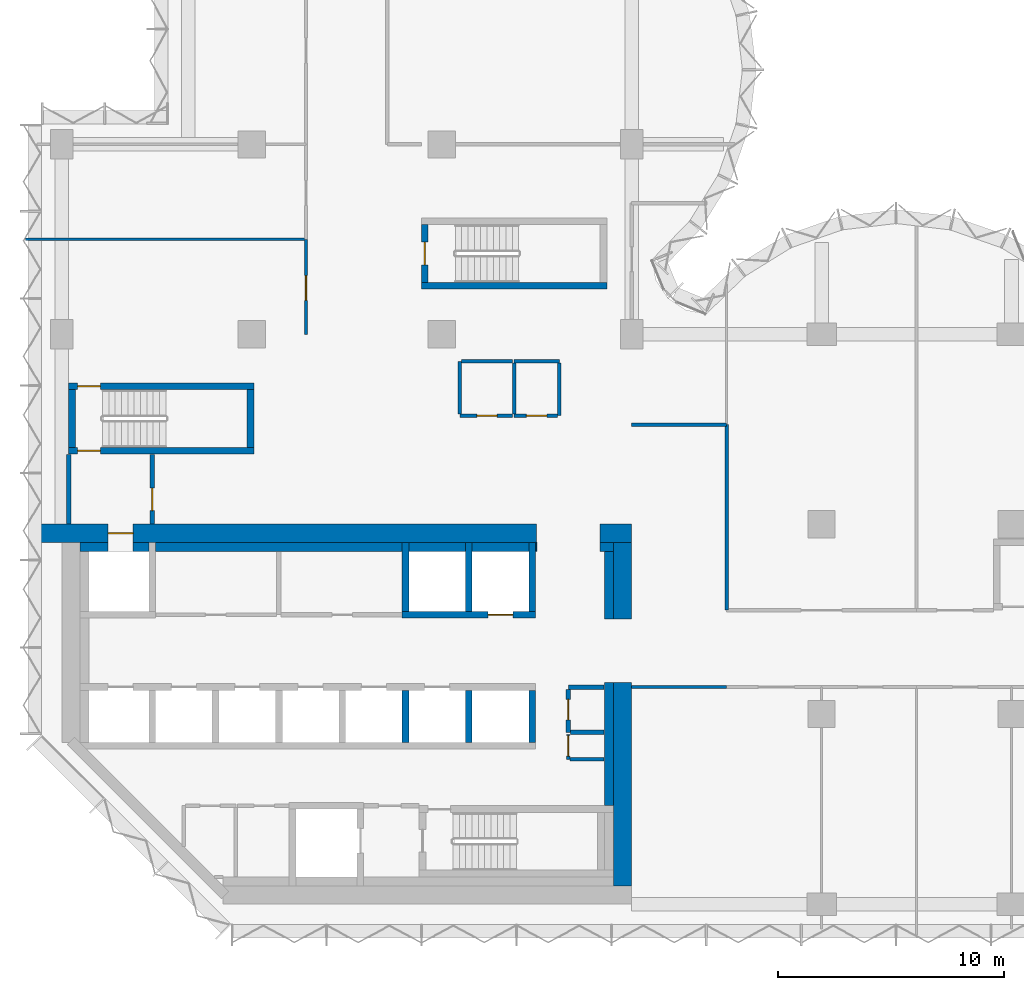
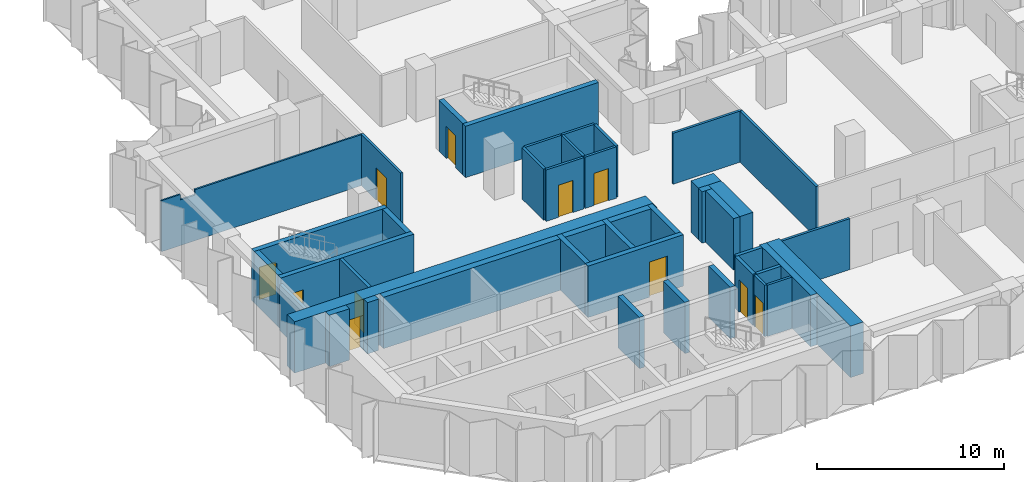
# One storey, part 6 of 11: 45 walls, 11 doors, 11 openings.
"""IFC4 building model written with IfcOpenShell, lengths in metres."""

from ifc_helpers import new_model, si_unit, direction, frame, frame_2d, origin, place, context, subcontext, project, spatial, polyline, rectangle, outline, extrude, material, layer, layer_set, type_object, element, fill, save


model = new_model("IFC4")

# Units and contexts
model_context = context("Model", 3, precision=1e-05, world=origin(), true_north=direction((0.0, 1.0)))
body_context = subcontext(model_context, "Body", "Model", "MODEL_VIEW")
ifc_project = project(units=[si_unit("LENGTHUNIT", "METRE"), si_unit("AREAUNIT", "SQUARE_METRE"), si_unit("VOLUMEUNIT", "CUBIC_METRE"), si_unit("PLANEANGLEUNIT", "RADIAN"), si_unit("MASSUNIT", "GRAM", prefix="KILO")], contexts=[model_context])

# Site, building, storey
site_placement = place(None, origin())
site = spatial("IfcSite", under=ifc_project, at=site_placement, CompositionType="ELEMENT")
building_placement = place(site_placement, origin())
building = spatial("IfcBuilding", under=site, at=building_placement, Name="Brevane Broadcast Tower", CompositionType="ELEMENT")
storey_placement = place(building_placement, frame((0.0, 0.0, 145.699951171875)))
storey = spatial("IfcBuildingStorey", under=building, at=storey_placement, Name="L36", CompositionType="ELEMENT", Elevation=145.699951171875)

# Walls
ifc_material_1 = material(Name="Concrete C32/40", Category="concrete")
ifc_layer_1 = layer(ifc_material_1, 0.39990234375)
ifc_layer_set_1 = layer_set([ifc_layer_1], Name="Core chase wall 400 mm")
wall_type_1 = type_object("IfcWallType", Name="Core chase wall 400 mm", PredefinedType="PARTITIONING", material=ifc_layer_set_1)
wall_1_placement = place(storey_placement, frame((24.199951171875, 12.60009765625, 0.0), z_axis=(0.0, 0.0, 1.0), x_axis=(0.0, 1.0, 0.0)))
element("IfcWall", 1, at=wall_1_placement, inside=storey, type_object=wall_type_1, Name="L36 chase wall LE2", PredefinedType="PARTITIONING", context=body_context, shape_type="SweptSolid", body=[
    extrude(rectangle(XDim=3.0, YDim=0.39990234375, at=frame_2d((1.5, 0.0))), origin(), (0.0, 0.0, 1.0), 3.35009765625),
])
wall_2_placement = place(storey_placement, frame((0.800048828125, 15.800048828125, 0.0), z_axis=(0.0, 0.0, 1.0), x_axis=(1.0, 0.0, 0.0)))
element("IfcWall", 2, at=wall_2_placement, inside=storey, type_object=wall_type_1, Name="L36 chase wall LN0", PredefinedType="PARTITIONING", context=body_context, shape_type="SweptSolid", body=[
    extrude(rectangle(XDim=1.25, YDim=0.39990234375, at=frame_2d((0.625, 0.0))), origin(), (0.0, 0.0, 1.0), 3.35009765625),
])
wall_3_placement = place(storey_placement, frame((23.800048828125, 15.800048828125, 0.0), z_axis=(0.0, 0.0, 1.0), x_axis=(1.0, 0.0, 0.0)))
element("IfcWall", 3, at=wall_3_placement, inside=storey, type_object=wall_type_1, Name="L36 chase wall LN2", PredefinedType="PARTITIONING", context=body_context, shape_type="SweptSolid", body=[
    extrude(rectangle(XDim=0.599853515625, YDim=0.39990234375, at=frame_2d((0.2998046875, 0.0))), origin(), (0.0, 0.0, 1.0), 3.35009765625),
])
wall_4_placement = place(storey_placement, frame((3.14990234375, 15.800048828125, 0.0), z_axis=(0.0, 0.0, 1.0), x_axis=(1.0, 0.0, 0.0)))
element("IfcWall", 4, at=wall_4_placement, inside=storey, type_object=wall_type_1, Name="L36 chase wall LN1-1", PredefinedType="PARTITIONING", context=body_context, shape_type="SweptSolid", body=[
    extrude(rectangle(XDim=0.7001953125, YDim=0.39990234375, at=frame_2d((0.35009765625, 0.0))), origin(), (0.0, 0.0, 1.0), 3.35009765625),
])
wall_5_placement = place(storey_placement, frame((4.14990234375, 15.800048828125, 0.0), z_axis=(0.0, 0.0, 1.0), x_axis=(1.0, 0.0, 0.0)))
element("IfcWall", 5, at=wall_5_placement, inside=storey, type_object=wall_type_1, Name="L36 chase wall LN1-2-1", PredefinedType="PARTITIONING", context=body_context, shape_type="SweptSolid", body=[
    extrude(rectangle(XDim=10.900146484375, YDim=0.39990234375, at=frame_2d((5.4501953125, 0.0))), origin(), (0.0, 0.0, 1.0), 3.35009765625),
])
for number, where, z_axis, x_axis, name in (
    (6, (15.35009765625, 15.800048828125, 0.0), (0.0, 0.0, 1.0), (1.0, 0.0, 0.0), "L36 chase wall LN1-2-2-1"),
    (7, (18.14990234375, 15.800048828125, 0.0), (0.0, 0.0, 1.0), (1.0, 0.0, 0.0), "L36 chase wall LN1-2-2-2-1"),
):
    element("IfcWall", number, at=place(storey_placement, frame(where, z_axis=z_axis, x_axis=x_axis)), inside=storey, type_object=wall_type_1, Name=name, PredefinedType="PARTITIONING", context=body_context, shape_type="SweptSolid", body=[
        extrude(rectangle(XDim=2.5, YDim=0.39990234375, at=frame_2d((1.25, 0.0))), origin(), (0.0, 0.0, 1.0), 3.35009765625),
    ])
wall_6_placement = place(storey_placement, frame((20.949951171875, 15.800048828125, 0.0), z_axis=(0.0, 0.0, 1.0), x_axis=(1.0, 0.0, 0.0)))
element("IfcWall", 8, at=wall_6_placement, inside=storey, type_object=wall_type_1, Name="L36 chase wall LN1-2-2-2-2", PredefinedType="PARTITIONING", context=body_context, shape_type="SweptSolid", body=[
    extrude(rectangle(XDim=0.050048828125, YDim=0.39990234375, at=frame_2d((0.02490234375, 0.0))), origin(), (0.0, 0.0, 1.0), 3.35009765625),
])
wall_7_placement = place(storey_placement, frame((24.199951171875, 4.35009765625, 0.0), z_axis=(0.0, 0.0, 1.0), x_axis=(0.0, 1.0, 0.0)))
element("IfcWall", 9, at=wall_7_placement, inside=storey, type_object=wall_type_1, Name="L36 chase wall LE1-2-2", PredefinedType="PARTITIONING", context=body_context, shape_type="SweptSolid", body=[
    extrude(rectangle(XDim=5.449951171875, YDim=0.39990234375, at=frame_2d((2.72509765625, 0.0))), origin(), (0.0, 0.0, 1.0), 3.35009765625),
])
ifc_material_2 = material(Name="Gypsum board on steel studs", Category="steel")
ifc_layer_2 = layer(ifc_material_2, 0.14990234375)
ifc_layer_set_2 = layer_set([ifc_layer_2], Name="Core fire partition 150 mm")
wall_type_2 = type_object("IfcWallType", Name="Core fire partition 150 mm", PredefinedType="PARTITIONING", material=ifc_layer_set_2)
wall_8_placement = place(storey_placement, frame((20.0, 24.0, 0.0), z_axis=(0.0, 0.0, 1.0), x_axis=(1.0, 0.0, 0.0)))
element("IfcWall", 10, at=wall_8_placement, inside=storey, type_object=wall_type_2, Name="L36 partition wall P15", PredefinedType="PARTITIONING", context=body_context, shape_type="SweptSolid", body=[
    extrude(rectangle(XDim=2.0, YDim=0.14990234375, at=frame_2d((1.0, 0.0))), origin(), (0.0, 0.0, 1.0), 3.35009765625),
])
wall_9_placement = place(storey_placement, frame((22.0, 23.925048828125, 0.0), z_axis=(0.0, 0.0, 1.0), x_axis=(0.0, -1.0, 0.0)))
element("IfcWall", 11, at=wall_9_placement, inside=storey, type_object=wall_type_2, Name="L36 partition wall P16", PredefinedType="PARTITIONING", context=body_context, shape_type="SweptSolid", body=[
    extrude(rectangle(XDim=2.324951171875, YDim=0.14990234375, at=frame_2d((1.16259765625, 0.0))), origin(), (0.0, 0.0, 1.0), 3.35009765625),
])

# Wall, opening, door
wall_10_placement = place(storey_placement, frame((21.925048828125, 21.60009765625, 0.0), z_axis=(0.0, 0.0, 1.0), x_axis=(-1.0, 0.0, 0.0)))
wall_10 = element("IfcWall", 12, at=wall_10_placement, inside=storey, type_object=wall_type_2, Name="L36 partition wall P17", PredefinedType="PARTITIONING", context=body_context, shape_type="SweptSolid", body=[
    extrude(rectangle(XDim=1.925048828125, YDim=0.14990234375, at=frame_2d((0.96240234375, 0.0))), origin(), (0.0, 0.0, 1.0), 3.35009765625),
])
opening_1_placement = place(wall_10_placement, frame((0.47509765625, 0.0, 0.0)))
opening_1 = element("IfcOpeningElement", 13, at=opening_1_placement, cuts=wall_10, Name="Opening L36-K24", PredefinedType="OPENING", context=body_context, shape_type="SweptSolid", body=[
    extrude(rectangle(XDim=0.89990234375, YDim=2.10009765625, at=frame_2d((0.449951171875, 1.050048828125))), frame((0.0, 0.0849609375, 0.0), z_axis=(0.0, -1.0, 0.0), x_axis=(1.0, 0.0, 0.0)), (0.0, 0.0, 1.0), 0.169921875),
])
ifc_material_3 = material(Name="Timber", Category="wood")
door_type_1 = type_object("IfcDoorType", Name="Toilet door 900 x 2100", OperationType="SINGLE_SWING_LEFT", PredefinedType="DOOR", material=ifc_material_3)
door_1_placement = place(opening_1_placement, origin())
door_1 = element("IfcDoor", 14, at=door_1_placement, inside=storey, type_object=door_type_1, Name="Door L36-K24", OperationType="SINGLE_SWING_RIGHT", OverallHeight=2.10009765625, OverallWidth=0.89990234375, PredefinedType="DOOR", context=body_context, shape_type="SweptSolid", body=[
    extrude(rectangle(XDim=0.89990234375, YDim=2.10009765625, at=frame_2d((0.449951171875, 1.050048828125))), frame((0.0, 0.02490234375, 0.0), z_axis=(0.0, -1.0, 0.0), x_axis=(1.0, 0.0, 0.0)), (0.0, 0.0, 1.0), 0.050048828125),
])
fill(opening_1, door_1)

# Wall
wall_11_placement = place(storey_placement, frame((20.0, 21.675048828125, 0.0), z_axis=(0.0, 0.0, 1.0), x_axis=(0.0, 1.0, 0.0)))
element("IfcWall", 15, at=wall_11_placement, inside=storey, type_object=wall_type_2, Name="L36 partition wall P18", PredefinedType="PARTITIONING", context=body_context, shape_type="SweptSolid", body=[
    extrude(rectangle(XDim=2.25, YDim=0.14990234375, at=frame_2d((1.125, 0.0))), origin(), (0.0, 0.0, 1.0), 3.35009765625),
])

# Wall, opening, door
wall_12_placement = place(storey_placement, frame((19.925048828125, 21.60009765625, 0.0), z_axis=(0.0, 0.0, 1.0), x_axis=(-1.0, 0.0, 0.0)))
wall_12 = element("IfcWall", 16, at=wall_12_placement, inside=storey, type_object=wall_type_2, Name="L36 partition wall P19", PredefinedType="PARTITIONING", context=body_context, shape_type="SweptSolid", body=[
    extrude(rectangle(XDim=2.324951171875, YDim=0.14990234375, at=frame_2d((1.16259765625, 0.0))), origin(), (0.0, 0.0, 1.0), 3.35009765625),
])
opening_2_placement = place(wall_12_placement, frame((0.675048828125, 0.0, 0.0)))
opening_2 = element("IfcOpeningElement", 17, at=opening_2_placement, cuts=wall_12, Name="Opening L36-K25", PredefinedType="OPENING", context=body_context, shape_type="SweptSolid", body=[
    extrude(rectangle(XDim=0.89990234375, YDim=2.10009765625, at=frame_2d((0.449951171875, 1.050048828125))), frame((0.0, 0.0849609375, 0.0), z_axis=(0.0, -1.0, 0.0), x_axis=(1.0, 0.0, 0.0)), (0.0, 0.0, 1.0), 0.169921875),
])
ifc_material_4 = material(Name="Steel", Category="steel")
door_type_2 = type_object("IfcDoorType", Name="Service room door 900 x 2100", OperationType="SINGLE_SWING_LEFT", PredefinedType="DOOR", material=ifc_material_4)
door_2_placement = place(opening_2_placement, origin())
door_2 = element("IfcDoor", 18, at=door_2_placement, inside=storey, type_object=door_type_2, Name="Door L36-K25", OperationType="SINGLE_SWING_LEFT", OverallHeight=2.10009765625, OverallWidth=0.89990234375, PredefinedType="DOOR", context=body_context, shape_type="SweptSolid", body=[
    extrude(rectangle(XDim=0.89990234375, YDim=2.10009765625, at=frame_2d((0.449951171875, 1.050048828125))), frame((0.0, 0.02490234375, 0.0), z_axis=(0.0, -1.0, 0.0), x_axis=(1.0, 0.0, 0.0)), (0.0, 0.0, 1.0), 0.050048828125),
])
fill(opening_2, door_2)

# Walls
wall_13_placement = place(storey_placement, frame((17.60009765625, 21.675048828125, 0.0), z_axis=(0.0, 0.0, 1.0), x_axis=(0.0, 1.0, 0.0)))
element("IfcWall", 19, at=wall_13_placement, inside=storey, type_object=wall_type_2, Name="L36 partition wall P20", PredefinedType="PARTITIONING", context=body_context, shape_type="SweptSolid", body=[
    extrude(rectangle(XDim=2.324951171875, YDim=0.14990234375, at=frame_2d((1.16259765625, 0.0))), origin(), (0.0, 0.0, 1.0), 3.35009765625),
])
wall_14_placement = place(storey_placement, frame((17.675048828125, 24.0, 0.0), z_axis=(0.0, 0.0, 1.0), x_axis=(1.0, 0.0, 0.0)))
element("IfcWall", 20, at=wall_14_placement, inside=storey, type_object=wall_type_2, Name="L36 partition wall P21", PredefinedType="PARTITIONING", context=body_context, shape_type="SweptSolid", body=[
    extrude(rectangle(XDim=2.25, YDim=0.14990234375, at=frame_2d((1.125, 0.0))), origin(), (0.0, 0.0, 1.0), 3.35009765625),
])

# Wall, opening, door
wall_15_placement = place(storey_placement, frame((22.39990234375, 7.5, 0.0), z_axis=(0.0, 0.0, 1.0), x_axis=(0.0, -1.0, 0.0)))
wall_15 = element("IfcWall", 21, at=wall_15_placement, inside=storey, type_object=wall_type_2, Name="L36 partition wall P22", PredefinedType="PARTITIONING", context=body_context, shape_type="SweptSolid", body=[
    extrude(rectangle(XDim=1.10009765625, YDim=0.14990234375, at=frame_2d((0.550048828125, 0.0))), origin(), (0.0, 0.0, 1.0), 3.35009765625),
])
opening_3_placement = place(wall_15_placement, frame((0.050048828125, 0.0, 0.0)))
opening_3 = element("IfcOpeningElement", 22, at=opening_3_placement, cuts=wall_15, Name="Opening L36-K19", PredefinedType="OPENING", context=body_context, shape_type="SweptSolid", body=[
    extrude(rectangle(XDim=0.89990234375, YDim=2.10009765625, at=frame_2d((0.449951171875, 1.050048828125))), frame((0.0, 0.0849609375, 0.0), z_axis=(0.0, -1.0, 0.0), x_axis=(1.0, 0.0, 0.0)), (0.0, 0.0, 1.0), 0.169921875),
])
door_3_placement = place(opening_3_placement, origin())
door_3 = element("IfcDoor", 23, at=door_3_placement, inside=storey, type_object=door_type_2, Name="Door L36-K19", OperationType="SINGLE_SWING_LEFT", OverallHeight=2.10009765625, OverallWidth=0.89990234375, PredefinedType="DOOR", context=body_context, shape_type="SweptSolid", body=[
    extrude(rectangle(XDim=0.89990234375, YDim=2.10009765625, at=frame_2d((0.449951171875, 1.050048828125))), frame((0.0, 0.02490234375, 0.0), z_axis=(0.0, -1.0, 0.0), x_axis=(1.0, 0.0, 0.0)), (0.0, 0.0, 1.0), 0.050048828125),
])
fill(opening_3, door_3)

# Walls
wall_16_placement = place(storey_placement, frame((22.47509765625, 6.39990234375, 0.0), z_axis=(0.0, 0.0, 1.0), x_axis=(1.0, 0.0, 0.0)))
element("IfcWall", 24, at=wall_16_placement, inside=storey, type_object=wall_type_2, Name="L36 partition wall P23", PredefinedType="PARTITIONING", context=body_context, shape_type="SweptSolid", body=[
    extrude(rectangle(XDim=1.512939453125, YDim=0.14990234375, at=frame_2d((0.75634765625, 0.0))), origin(), (0.0, 0.0, 1.0), 3.35009765625),
])
ifc_layer_3 = layer(ifc_material_2, 0.199951171875)
ifc_layer_set_3 = layer_set([ifc_layer_3], Name="Core fire partition 200 mm")
wall_type_3 = type_object("IfcWallType", Name="Core fire partition 200 mm", PredefinedType="PARTITIONING", material=ifc_layer_set_3)
wall_17_placement = place(storey_placement, frame((0.300048828125, 16.81201171875, 0.0), z_axis=(0.0, 0.0, 1.0), x_axis=(0.0, 1.0, 0.0)))
element("IfcWall", 25, at=wall_17_placement, inside=storey, type_object=wall_type_3, Name="L36 partition wall P01", PredefinedType="PARTITIONING", context=body_context, shape_type="SweptSolid", body=[
    extrude(rectangle(XDim=3.075927734375, YDim=0.199951171875, at=frame_2d((1.5380859375, 0.0))), origin(), (0.0, 0.0, 1.0), 2.97998046875),
])

# Wall, opening, door
wall_18_placement = place(storey_placement, frame((4.0, 19.887939453125, 0.0), z_axis=(0.0, 0.0, 1.0), x_axis=(0.0, -1.0, 0.0)))
wall_18 = element("IfcWall", 26, at=wall_18_placement, inside=storey, type_object=wall_type_3, Name="L36 partition wall P02", PredefinedType="PARTITIONING", context=body_context, shape_type="SweptSolid", body=[
    extrude(rectangle(XDim=3.075927734375, YDim=0.199951171875, at=frame_2d((1.5380859375, 0.0))), origin(), (0.0, 0.0, 1.0), 3.35009765625),
])
opening_4_placement = place(wall_18_placement, frame((1.488037109375, 0.0, 0.0)))
opening_4 = element("IfcOpeningElement", 27, at=opening_4_placement, cuts=wall_18, Name="Opening L36-K23", PredefinedType="OPENING", context=body_context, shape_type="SweptSolid", body=[
    extrude(rectangle(XDim=1.0, YDim=2.10009765625, at=frame_2d((0.5, 1.050048828125))), frame((0.0, 0.10986328125, 0.0), z_axis=(0.0, -1.0, 0.0), x_axis=(1.0, 0.0, 0.0)), (0.0, 0.0, 1.0), 0.219970703125),
])
door_type_3 = type_object("IfcDoorType", Name="Stair door 1000 x 2100", OperationType="SINGLE_SWING_LEFT", PredefinedType="DOOR", material=ifc_material_4)
door_4_placement = place(opening_4_placement, origin())
door_4 = element("IfcDoor", 28, at=door_4_placement, inside=storey, type_object=door_type_3, Name="Door L36-K23", OperationType="SINGLE_SWING_LEFT", OverallHeight=2.10009765625, OverallWidth=1.0, PredefinedType="DOOR", context=body_context, shape_type="SweptSolid", body=[
    extrude(rectangle(XDim=1.0, YDim=2.10009765625, at=frame_2d((0.5, 1.050048828125))), frame((0.0, 0.02490234375, 0.0), z_axis=(0.0, -1.0, 0.0), x_axis=(1.0, 0.0, 0.0)), (0.0, 0.0, 1.0), 0.050048828125),
])
fill(opening_4, door_4)

# Wall
wall_19_placement = place(storey_placement, frame((23.988037109375, 9.60009765625, 0.0), z_axis=(0.0, 0.0, 1.0), x_axis=(-1.0, 0.0, 0.0)))
element("IfcWall", 29, at=wall_19_placement, inside=storey, type_object=wall_type_3, Name="L36 partition wall P06", PredefinedType="PARTITIONING", context=body_context, shape_type="SweptSolid", body=[
    extrude(rectangle(XDim=1.588134765625, YDim=0.199951171875, at=frame_2d((0.7939453125, 0.0))), origin(), (0.0, 0.0, 1.0), 3.35009765625),
])

# Wall, opening, door
wall_20_placement = place(storey_placement, frame((22.39990234375, 9.5, 0.0), z_axis=(0.0, 0.0, 1.0), x_axis=(0.0, -1.0, 0.0)))
wall_20 = element("IfcWall", 30, at=wall_20_placement, inside=storey, type_object=wall_type_3, Name="L36 partition wall P07", PredefinedType="PARTITIONING", context=body_context, shape_type="SweptSolid", body=[
    extrude(rectangle(XDim=1.89990234375, YDim=0.199951171875, at=frame_2d((0.949951171875, 0.0))), origin(), (0.0, 0.0, 1.0), 3.35009765625),
])
opening_5_placement = place(wall_20_placement, frame((0.449951171875, 0.0, 0.0)))
opening_5 = element("IfcOpeningElement", 31, at=opening_5_placement, cuts=wall_20, Name="Opening L36-K20", PredefinedType="OPENING", context=body_context, shape_type="SweptSolid", body=[
    extrude(rectangle(XDim=0.89990234375, YDim=2.10009765625, at=frame_2d((0.449951171875, 1.050048828125))), frame((0.0, 0.10986328125, 0.0), z_axis=(0.0, -1.0, 0.0), x_axis=(1.0, 0.0, 0.0)), (0.0, 0.0, 1.0), 0.219970703125),
])
door_5_placement = place(opening_5_placement, origin())
door_5 = element("IfcDoor", 32, at=door_5_placement, inside=storey, type_object=door_type_2, Name="Door L36-K20", OperationType="SINGLE_SWING_RIGHT", OverallHeight=2.10009765625, OverallWidth=0.89990234375, PredefinedType="DOOR", context=body_context, shape_type="SweptSolid", body=[
    extrude(rectangle(XDim=0.89990234375, YDim=2.10009765625, at=frame_2d((0.449951171875, 1.050048828125))), frame((0.0, 0.02490234375, 0.0), z_axis=(0.0, -1.0, 0.0), x_axis=(1.0, 0.0, 0.0)), (0.0, 0.0, 1.0), 0.050048828125),
])
fill(opening_5, door_5)

# Walls
wall_21_placement = place(storey_placement, frame((22.5, 7.60009765625, 0.0), z_axis=(0.0, 0.0, 1.0), x_axis=(1.0, 0.0, 0.0)))
element("IfcWall", 33, at=wall_21_placement, inside=storey, type_object=wall_type_3, Name="L36 partition wall P08", PredefinedType="PARTITIONING", context=body_context, shape_type="SweptSolid", body=[
    extrude(rectangle(XDim=1.488037109375, YDim=0.199951171875, at=frame_2d((0.744140625, 0.0))), origin(), (0.0, 0.0, 1.0), 3.35009765625),
])
ifc_material_5 = material(Name="Concrete C60/75", Category="concrete")
ifc_layer_4 = layer(ifc_material_5, 0.300048828125)
ifc_layer_set_4 = layer_set([ifc_layer_4], Name="Core wall 300 mm C60/75")
wall_type_4 = type_object("IfcWallType", Name="Core wall 300 mm C60/75", PredefinedType="SHEAR", material=ifc_layer_set_4)
for number, where, z_axis, x_axis, name in (
    (34, (15.199951171875, 7.14990234375, 0.0), (0.0, 0.0, 1.0), (0.0, 1.0, 0.0), "L36 shaft wall SH-S-P152"),
    (35, (18.0, 7.14990234375, 0.0), (0.0, 0.0, 1.0), (0.0, 1.0, 0.0), "L36 shaft wall SH-S-P180"),
    (36, (20.800048828125, 7.14990234375, 0.0), (0.0, 0.0, 1.0), (0.0, 1.0, 0.0), "L36 shaft wall SH-S-P208"),
):
    element("IfcWall", number, at=place(storey_placement, frame(where, z_axis=z_axis, x_axis=x_axis)), inside=storey, type_object=wall_type_4, Name=name, PredefinedType="SHEAR", context=body_context, shape_type="SweptSolid", body=[
        extrude(rectangle(XDim=2.300048828125, YDim=0.300048828125, at=frame_2d((1.14990234375, 0.0))), origin(), (0.0, 0.0, 1.0), 3.35009765625),
    ])

# Wall, opening, door
wall_22_placement = place(storey_placement, frame((15.050048828125, 12.800048828125, 0.0), z_axis=(0.0, 0.0, 1.0), x_axis=(1.0, 0.0, 0.0)))
wall_22 = element("IfcWall", 37, at=wall_22_placement, inside=storey, type_object=wall_type_4, Name="L36 shaft wall SH-N152-front", PredefinedType="SHEAR", context=body_context, shape_type="SweptSolid", body=[
    extrude(rectangle(XDim=5.89990234375, YDim=0.300048828125, at=frame_2d((2.949951171875, 0.0))), origin(), (0.0, 0.0, 1.0), 3.35009765625),
])
opening_6_placement = place(wall_22_placement, frame((3.800048828125, 0.0, 0.0)))
opening_6 = element("IfcOpeningElement", 38, at=opening_6_placement, cuts=wall_22, Name="Opening LD", PredefinedType="OPENING", context=body_context, shape_type="SweptSolid", body=[
    extrude(rectangle(XDim=1.10009765625, YDim=2.300048828125, at=frame_2d((0.550048828125, 1.14990234375))), frame((0.0, 0.159912109375, 0.0), z_axis=(0.0, -1.0, 0.0), x_axis=(1.0, 0.0, 0.0)), (0.0, 0.0, 1.0), 0.320068359375),
])
ifc_material_6 = material(Name="Stainless steel", Category="steel")
door_type_4 = type_object("IfcDoorType", Name="Lift landing door", OperationType="SLIDING_TO_LEFT", PredefinedType="DOOR", material=ifc_material_6)
door_6_placement = place(opening_6_placement, origin())
door_6 = element("IfcDoor", 39, at=door_6_placement, inside=storey, type_object=door_type_4, Name="Landing door SL1 L36", OperationType="SLIDING_TO_LEFT", OverallHeight=2.300048828125, OverallWidth=1.10009765625, PredefinedType="DOOR", context=body_context, shape_type="SweptSolid", body=[
    extrude(rectangle(XDim=1.10009765625, YDim=2.300048828125, at=frame_2d((0.550048828125, 1.14990234375))), frame((0.0, 0.02490234375, 0.0), z_axis=(0.0, -1.0, 0.0), x_axis=(1.0, 0.0, 0.0)), (0.0, 0.0, 1.0), 0.050048828125),
])
fill(opening_6, door_6)

# Walls
for number, where, z_axis, x_axis, name in (
    (40, (15.199951171875, 12.949951171875, 0.0), (0.0, 0.0, 1.0), (0.0, 1.0, 0.0), "L36 shaft wall SH-N-P152"),
    (41, (18.0, 12.949951171875, 0.0), (0.0, 0.0, 1.0), (0.0, 1.0, 0.0), "L36 shaft wall SH-N-P180"),
    (42, (20.800048828125, 12.949951171875, 0.0), (0.0, 0.0, 1.0), (0.0, 1.0, 0.0), "L36 shaft wall SH-N-P208"),
):
    element("IfcWall", number, at=place(storey_placement, frame(where, z_axis=z_axis, x_axis=x_axis)), inside=storey, type_object=wall_type_4, Name=name, PredefinedType="SHEAR", context=body_context, shape_type="SweptSolid", body=[
        extrude(rectangle(XDim=3.050048828125, YDim=0.300048828125, at=frame_2d((1.52490234375, 0.0))), origin(), (0.0, 0.0, 1.0), 3.35009765625),
    ])

# Wall, opening, door
wall_23_placement = place(storey_placement, frame((8.5, 20.050048828125, 0.0), z_axis=(0.0, 0.0, 1.0), x_axis=(-1.0, 0.0, 0.0)))
wall_23 = element("IfcWall", 43, at=wall_23_placement, inside=storey, type_object=wall_type_4, Name="L36 stair wall ST-1-S", PredefinedType="SHEAR", context=body_context, shape_type="SweptSolid", body=[
    extrude(rectangle(XDim=8.199951171875, YDim=0.300048828125, at=frame_2d((4.10009765625, 0.0))), origin(), (0.0, 0.0, 1.0), 3.35009765625),
])
opening_7_placement = place(wall_23_placement, frame((6.800048828125, 0.0, 0.0)))
opening_7 = element("IfcOpeningElement", 44, at=opening_7_placement, cuts=wall_23, Name="Opening L36-K10", PredefinedType="OPENING", context=body_context, shape_type="SweptSolid", body=[
    extrude(rectangle(XDim=1.0, YDim=2.10009765625, at=frame_2d((0.5, 1.050048828125))), frame((0.0, 0.159912109375, 0.0), z_axis=(0.0, -1.0, 0.0), x_axis=(1.0, 0.0, 0.0)), (0.0, 0.0, 1.0), 0.320068359375),
])
door_7_placement = place(opening_7_placement, origin())
door_7 = element("IfcDoor", 45, at=door_7_placement, inside=storey, type_object=door_type_3, Name="Door L36-K10", OperationType="SINGLE_SWING_RIGHT", OverallHeight=2.10009765625, OverallWidth=1.0, PredefinedType="DOOR", context=body_context, shape_type="SweptSolid", body=[
    extrude(rectangle(XDim=1.0, YDim=2.10009765625, at=frame_2d((0.5, 1.050048828125))), frame((0.0, 0.02490234375, 0.0), z_axis=(0.0, -1.0, 0.0), x_axis=(1.0, 0.0, 0.0)), (0.0, 0.0, 1.0), 0.050048828125),
])
fill(opening_7, door_7)

wall_24_placement = place(storey_placement, frame((0.300048828125, 22.89990234375, 0.0), z_axis=(0.0, 0.0, 1.0), x_axis=(1.0, 0.0, 0.0)))
wall_24 = element("IfcWall", 46, at=wall_24_placement, inside=storey, type_object=wall_type_4, Name="L36 stair wall ST-1-N", PredefinedType="SHEAR", context=body_context, shape_type="SweptSolid", body=[
    extrude(rectangle(XDim=8.199951171875, YDim=0.300048828125, at=frame_2d((4.10009765625, 0.0))), origin(), (0.0, 0.0, 1.0), 3.35009765625),
])
opening_8_placement = place(wall_24_placement, frame((0.39990234375, 0.0, 0.0)))
opening_8 = element("IfcOpeningElement", 47, at=opening_8_placement, cuts=wall_24, Name="Opening L36-K11", PredefinedType="OPENING", context=body_context, shape_type="SweptSolid", body=[
    extrude(rectangle(XDim=1.0, YDim=2.10009765625, at=frame_2d((0.5, 1.050048828125))), frame((0.0, 0.159912109375, 0.0), z_axis=(0.0, -1.0, 0.0), x_axis=(1.0, 0.0, 0.0)), (0.0, 0.0, 1.0), 0.320068359375),
])
door_8_placement = place(opening_8_placement, origin())
door_8 = element("IfcDoor", 48, at=door_8_placement, inside=storey, type_object=door_type_3, Name="Door L36-K11", OperationType="SINGLE_SWING_LEFT", OverallHeight=2.10009765625, OverallWidth=1.0, PredefinedType="DOOR", context=body_context, shape_type="SweptSolid", body=[
    extrude(rectangle(XDim=1.0, YDim=2.10009765625, at=frame_2d((0.5, 1.050048828125))), frame((0.0, 0.02490234375, 0.0), z_axis=(0.0, -1.0, 0.0), x_axis=(1.0, 0.0, 0.0)), (0.0, 0.0, 1.0), 0.050048828125),
])
fill(opening_8, door_8)

# Walls
for number, where, z_axis, x_axis, name in (
    (49, (0.449951171875, 20.199951171875, 0.0), (0.0, 0.0, 1.0), (0.0, 1.0, 0.0), "L36 stair wall ST-1-W"),
    (50, (8.35009765625, 20.199951171875, 0.0), (0.0, 0.0, 1.0), (0.0, 1.0, 0.0), "L36 stair wall ST-1-E"),
):
    element("IfcWall", number, at=place(storey_placement, frame(where, z_axis=z_axis, x_axis=x_axis)), inside=storey, type_object=wall_type_4, Name=name, PredefinedType="SHEAR", context=body_context, shape_type="SweptSolid", body=[
        extrude(rectangle(XDim=2.550048828125, YDim=0.300048828125, at=frame_2d((1.27490234375, 0.0))), origin(), (0.0, 0.0, 1.0), 3.35009765625),
    ])
wall_25_placement = place(storey_placement, frame((15.89990234375, 27.35009765625, 0.0), z_axis=(0.0, 0.0, 1.0), x_axis=(1.0, 0.0, 0.0)))
element("IfcWall", 51, at=wall_25_placement, inside=storey, type_object=wall_type_4, Name="L36 stair wall ST-3-S", PredefinedType="SHEAR", context=body_context, shape_type="SweptSolid", body=[
    extrude(rectangle(XDim=8.2001953125, YDim=0.300048828125, at=frame_2d((4.10009765625, 0.0))), origin(), (0.0, 0.0, 1.0), 3.35009765625),
])

# Wall, opening, door
wall_26_placement = place(storey_placement, frame((16.050048828125, 27.5, 0.0), z_axis=(0.0, 0.0, 1.0), x_axis=(0.0, 1.0, 0.0)))
wall_26 = element("IfcWall", 52, at=wall_26_placement, inside=storey, type_object=wall_type_4, Name="L36 stair wall ST-3-W", PredefinedType="SHEAR", context=body_context, shape_type="SweptSolid", body=[
    extrude(rectangle(XDim=2.550048828125, YDim=0.300048828125, at=frame_2d((1.27490234375, 0.0))), origin(), (0.0, 0.0, 1.0), 3.35009765625),
])
opening_9_placement = place(wall_26_placement, frame((0.77490234375, 0.0, 0.0)))
opening_9 = element("IfcOpeningElement", 53, at=opening_9_placement, cuts=wall_26, Name="Opening L36-K14", PredefinedType="OPENING", context=body_context, shape_type="SweptSolid", body=[
    extrude(rectangle(XDim=1.0, YDim=2.10009765625, at=frame_2d((0.5, 1.050048828125))), frame((0.0, 0.159912109375, 0.0), z_axis=(0.0, -1.0, 0.0), x_axis=(1.0, 0.0, 0.0)), (0.0, 0.0, 1.0), 0.320068359375),
])
door_9_placement = place(opening_9_placement, origin())
door_9 = element("IfcDoor", 54, at=door_9_placement, inside=storey, type_object=door_type_3, Name="Door L36-K14", OperationType="SINGLE_SWING_RIGHT", OverallHeight=2.10009765625, OverallWidth=1.0, PredefinedType="DOOR", context=body_context, shape_type="SweptSolid", body=[
    extrude(rectangle(XDim=1.0, YDim=2.10009765625, at=frame_2d((0.5, 1.050048828125))), frame((0.0, 0.02490234375, 0.0), z_axis=(0.0, -1.0, 0.0), x_axis=(1.0, 0.0, 0.0)), (0.0, 0.0, 1.0), 0.050048828125),
])
fill(opening_9, door_9)

ifc_layer_5 = layer(ifc_material_5, 0.800048828125)
ifc_layer_set_5 = layer_set([ifc_layer_5], Name="Core wall 800 mm C60/75")
wall_type_5 = type_object("IfcWallType", Name="Core wall 800 mm C60/75", PredefinedType="SHEAR", material=ifc_layer_set_5)
wall_27_placement = place(storey_placement, frame((-1.10009765625, 16.39990234375, 0.0), z_axis=(0.0, 0.0, 1.0), x_axis=(1.0, 0.0, 0.0)))
wall_27 = element("IfcWall", 55, at=wall_27_placement, inside=storey, type_object=wall_type_5, Name="L36 outer wall WN1", PredefinedType="SHEAR", context=body_context, shape_type="SweptSolid", body=[
    extrude(rectangle(XDim=22.10009765625, YDim=0.800048828125, at=frame_2d((11.050048828125, 0.0))), origin(), (0.0, 0.0, 1.0), 3.35009765625),
])
opening_10_placement = place(wall_27_placement, frame((3.14990234375, 0.0, 0.0)))
opening_10 = element("IfcOpeningElement", 56, at=opening_10_placement, cuts=wall_27, Name="Opening LD", PredefinedType="OPENING", context=body_context, shape_type="SweptSolid", body=[
    extrude(rectangle(XDim=1.10009765625, YDim=2.300048828125, at=frame_2d((0.550048828125, 1.14990234375))), frame((0.0, 0.409912109375, 0.0), z_axis=(0.0, -1.0, 0.0), x_axis=(1.0, 0.0, 0.0)), (0.0, 0.0, 1.0), 0.820068359375),
])
door_10_placement = place(opening_10_placement, origin())
door_10 = element("IfcDoor", 57, at=door_10_placement, inside=storey, type_object=door_type_4, Name="Landing door FF1 L36", OperationType="SLIDING_TO_LEFT", OverallHeight=2.300048828125, OverallWidth=1.10009765625, PredefinedType="DOOR", context=body_context, shape_type="SweptSolid", body=[
    extrude(rectangle(XDim=1.10009765625, YDim=2.300048828125, at=frame_2d((0.550048828125, 1.14990234375))), frame((0.0, 0.02490234375, 0.0), z_axis=(0.0, -1.0, 0.0), x_axis=(1.0, 0.0, 0.0)), (0.0, 0.0, 1.0), 0.050048828125),
])
fill(opening_10, door_10)

# Walls
wall_28_placement = place(storey_placement, frame((23.800048828125, 16.39990234375, 0.0), z_axis=(0.0, 0.0, 1.0), x_axis=(1.0, 0.0, 0.0)))
element("IfcWall", 58, at=wall_28_placement, inside=storey, type_object=wall_type_5, Name="L36 outer wall WN2", PredefinedType="SHEAR", context=body_context, shape_type="SweptSolid", body=[
    extrude(rectangle(XDim=1.39990234375, YDim=0.800048828125, at=frame_2d((0.699951171875, 0.0))), origin(), (0.0, 0.0, 1.0), 3.35009765625),
])
wall_29_placement = place(storey_placement, frame((24.800048828125, 0.800048828125, 0.0), z_axis=(0.0, 0.0, 1.0), x_axis=(0.0, 1.0, 0.0)))
element("IfcWall", 59, at=wall_29_placement, inside=storey, type_object=wall_type_5, Name="L36 outer wall WE1", PredefinedType="SHEAR", context=body_context, shape_type="SweptSolid", body=[
    extrude(rectangle(XDim=9.0, YDim=0.800048828125, at=frame_2d((4.5, 0.0))), origin(), (0.0, 0.0, 1.0), 3.35009765625),
])
wall_30_placement = place(storey_placement, frame((24.800048828125, 12.60009765625, 0.0), z_axis=(0.0, 0.0, 1.0), x_axis=(0.0, 1.0, 0.0)))
element("IfcWall", 60, at=wall_30_placement, inside=storey, type_object=wall_type_5, Name="L36 outer wall WE2", PredefinedType="SHEAR", context=body_context, shape_type="SweptSolid", body=[
    extrude(rectangle(XDim=3.39990234375, YDim=0.800048828125, at=frame_2d((1.699951171875, 0.0))), origin(), (0.0, 0.0, 1.0), 3.35009765625),
])
ifc_material_7 = material(Name="Gypsum board partition")
ifc_layer_6 = layer(ifc_material_7, 0.10009765625)
ifc_layer_set_6 = layer_set([ifc_layer_6], Name="PARTITION 100 STUD")
wall_type_6 = type_object("IfcWallType", Name="PARTITION 100 STUD", PredefinedType="PARTITIONING", material=ifc_layer_set_6)
wall_31_placement = place(storey_placement, frame((-1.609130859375, 29.39990234375, 0.0), z_axis=(0.0, 0.0, 1.0), x_axis=(1.0, 0.0, 0.0)))
element("IfcWall", 61, at=wall_31_placement, inside=storey, type_object=wall_type_6, Name="Partition G11-055", PredefinedType="PARTITIONING", context=body_context, shape_type="SweptSolid", body=[
    extrude(outline(polyline([(0.0, 0.0), (12.4091796875, 0.0), (12.4091796875, 3.330078125), (2.05908203125, 3.330078125), (2.05712890625, 2.97998046875), (1.1611328125, 2.97998046875), (1.1591796875, 3.330078125), (0.509033203125, 3.330078125), (0.0, 3.330078125), (0.0, 0.0)])), frame((0.0, 0.050048828125, 0.0), z_axis=(0.0, -1.0, 0.0), x_axis=(1.0, 0.0, 0.0)), (0.0, 0.0, 1.0), 0.10009765625),
])
ifc_layer_7 = layer(ifc_material_7, 0.14990234375)
ifc_layer_set_7 = layer_set([ifc_layer_7], Name="PARTITION 150 EI 60")
wall_type_7 = type_object("IfcWallType", Name="PARTITION 150 EI 60", PredefinedType="PARTITIONING", material=ifc_layer_set_7)
for number, where, z_axis, x_axis, name in (
    (62, (25.199951171875, 21.199951171875, 0.0), (0.0, 0.0, 1.0), (1.0, 0.0, 0.0), "Partition G11-001"),
    (63, (29.39990234375, 9.60009765625, 0.0), (0.0, 0.0, 1.0), (-1.0, 0.0, 0.0), "Partition G11-002"),
):
    element("IfcWall", number, at=place(storey_placement, frame(where, z_axis=z_axis, x_axis=x_axis)), inside=storey, type_object=wall_type_7, Name=name, PredefinedType="PARTITIONING", context=body_context, shape_type="SweptSolid", body=[
        extrude(rectangle(XDim=4.199951171875, YDim=0.14990234375, at=frame_2d((2.10009765625, 0.0))), origin(), (0.0, 0.0, 1.0), 3.330078125),
    ])
wall_32_placement = place(storey_placement, frame((29.39990234375, 21.199951171875, 0.0), z_axis=(0.0, 0.0, 1.0), x_axis=(0.0, -1.0, 0.0)))
element("IfcWall", 64, at=wall_32_placement, inside=storey, type_object=wall_type_7, Name="Partition G11-003", PredefinedType="PARTITIONING", context=body_context, shape_type="SweptSolid", body=[
    extrude(rectangle(XDim=8.199951171875, YDim=0.14990234375, at=frame_2d((4.10009765625, 0.0))), origin(), (0.0, 0.0, 1.0), 3.330078125),
])

# Wall, opening, door
wall_33_placement = place(storey_placement, frame((10.800048828125, 25.199951171875, 0.0), z_axis=(0.0, 0.0, 1.0), x_axis=(0.0, 1.0, 0.0)))
wall_33 = element("IfcWall", 65, at=wall_33_placement, inside=storey, type_object=wall_type_7, Name="Partition G11-038", PredefinedType="PARTITIONING", context=body_context, shape_type="SweptSolid", body=[
    extrude(rectangle(XDim=4.199951171875, YDim=0.14990234375, at=frame_2d((2.10009765625, 0.0))), origin(), (0.0, 0.0, 1.0), 3.330078125),
])
opening_11_placement = place(wall_33_placement, frame((1.5, 0.0, 0.0)))
opening_11 = element("IfcOpeningElement", 66, at=opening_11_placement, cuts=wall_33, Name="Opening D18-015", PredefinedType="OPENING", context=body_context, shape_type="SweptSolid", body=[
    extrude(rectangle(XDim=1.10009765625, YDim=2.10009765625, at=frame_2d((0.550048828125, 1.050048828125))), frame((0.0, 0.0849609375, 0.0), z_axis=(0.0, -1.0, 0.0), x_axis=(1.0, 0.0, 0.0)), (0.0, 0.0, 1.0), 0.169921875),
])
ifc_material_8 = material(Name="Fire-rated timber door leaf", Category="wood")
door_type_5 = type_object("IfcDoorType", Name="DOOR SINGLE 1100 FD30S", OperationType="SINGLE_SWING_LEFT", PredefinedType="DOOR", material=ifc_material_8)
door_11_placement = place(opening_11_placement, origin())
door_11 = element("IfcDoor", 67, at=door_11_placement, inside=storey, type_object=door_type_5, Name="Door D18-015", OperationType="SINGLE_SWING_LEFT", OverallHeight=2.10009765625, OverallWidth=1.10009765625, PredefinedType="DOOR", context=body_context, shape_type="SweptSolid", body=[
    extrude(rectangle(XDim=1.10009765625, YDim=2.10009765625, at=frame_2d((0.550048828125, 1.050048828125))), frame((0.0, 0.02490234375, 0.0), z_axis=(0.0, -1.0, 0.0), x_axis=(1.0, 0.0, 0.0)), (0.0, 0.0, 1.0), 0.050048828125),
])
fill(opening_11, door_11)

save(model, "model.ifc")
